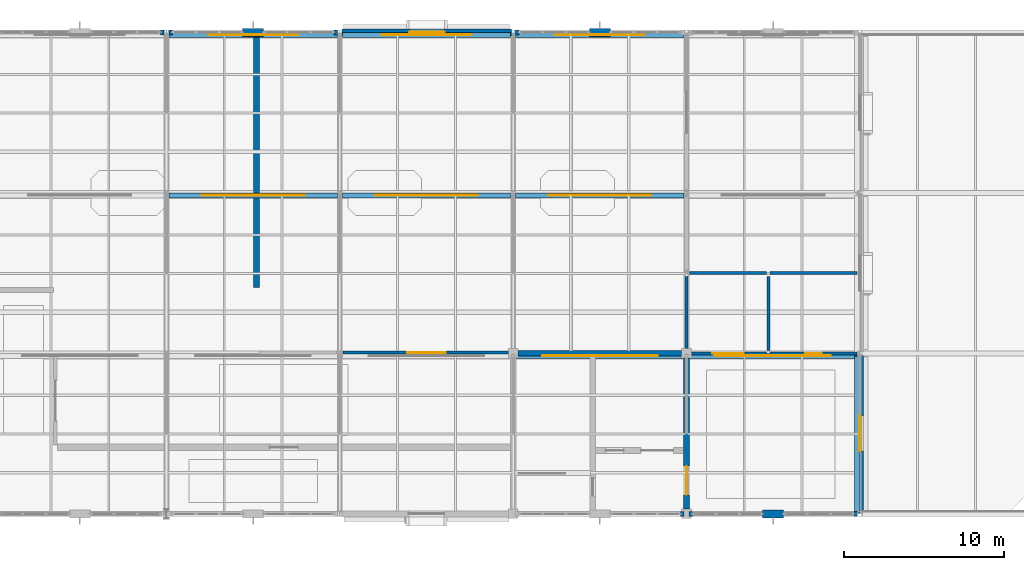
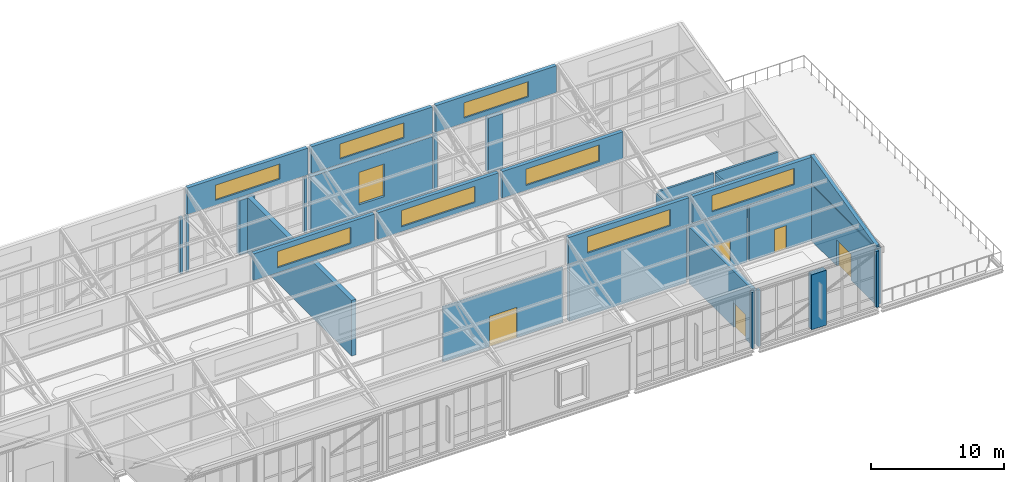
# One storey, part 41 of 49: 31 walls, 9 windows, 5 doors, 14 openings.
"""IFC4 building model written with IfcOpenShell, lengths in metres."""

from ifc_helpers import new_model, si_unit, direction, frame, frame_2d, origin, place, context, subcontext, project, spatial, polyline, rectangle, outline, extrude, material, layer, layer_set, type_object, element, fill, save


model = new_model("IFC4")

# Units and contexts
model_context = context("Model", 3, precision=1e-05, world=origin(), true_north=direction((0.0, 1.0)))
body_context = subcontext(model_context, "Body", "Model", "MODEL_VIEW")
ifc_project = project(units=[si_unit("LENGTHUNIT", "METRE"), si_unit("AREAUNIT", "SQUARE_METRE"), si_unit("VOLUMEUNIT", "CUBIC_METRE"), si_unit("PLANEANGLEUNIT", "RADIAN"), si_unit("MASSUNIT", "GRAM", prefix="KILO")], contexts=[model_context])

# Site, building, storey
site_placement = place(None, origin())
site = spatial("IfcSite", under=ifc_project, at=site_placement, CompositionType="ELEMENT")
building_placement = place(site_placement, origin())
building = spatial("IfcBuilding", under=site, at=building_placement, Name="Tasgan Crest Museum", CompositionType="ELEMENT")
storey_placement = place(building_placement, frame((0.0, 0.0, 28.800048828125)))
storey = spatial("IfcBuildingStorey", under=building, at=storey_placement, Name="L05", CompositionType="ELEMENT", Elevation=28.800048828125)

# Wall
ifc_material_1 = material(Name="Concrete C40/50", Category="concrete")
ifc_layer_1 = layer(ifc_material_1, 0.35009765625, Name="WL-CORE-350")
ifc_layer_set_1 = layer_set([ifc_layer_1], Name="Concrete C40/50")
wall_type_1 = type_object("IfcWallType", Name="WL-CORE-350", PredefinedType="SHEAR", material=ifc_layer_set_1)
wall_1_placement = place(storey_placement, frame((54.300048828125, 92.0, 0.0), z_axis=(0.0, 0.0, 1.0), x_axis=(1.0, 0.0, 0.0)))
element("IfcWall", 1, at=wall_1_placement, inside=storey, type_object=wall_type_1, Name="North-Central Sawtooth Core north shear wall L05", PredefinedType="SHEAR", context=body_context, shape_type="SweptSolid", body=[
    extrude(rectangle(XDim=10.199951171875, YDim=0.35009765625, at=frame_2d((5.10009765625, 0.0))), origin(), (0.0, 0.0, 1.0), 5.159912109375),
])

# Wall, opening, door
wall_2_placement = place(storey_placement, frame((64.800048828125, 82.300048828125, 0.0), z_axis=(0.0, 0.0, 1.0), x_axis=(0.0, 1.0, 0.0)))
wall_2 = element("IfcWall", 2, at=wall_2_placement, inside=storey, type_object=wall_type_1, Name="North-Central Sawtooth Core east shear wall L05", PredefinedType="SHEAR", context=body_context, shape_type="SweptSolid", body=[
    extrude(rectangle(XDim=9.39990234375, YDim=0.35009765625, at=frame_2d((4.699951171875, 0.0))), origin(), (0.0, 0.0, 1.0), 5.159912109375),
])
opening_1_placement = place(wall_2_placement, frame((0.8798828125, 0.0, 0.0)))
opening_1 = element("IfcOpeningElement", 3, at=opening_1_placement, cuts=wall_2, Name="Opening LD-NC-L05", PredefinedType="OPENING", context=body_context, shape_type="SweptSolid", body=[
    extrude(rectangle(XDim=1.800048828125, YDim=2.25, at=frame_2d((0.89990234375, 1.125))), frame((0.0, 0.18505859375, 0.0), z_axis=(0.0, -1.0, 0.0), x_axis=(1.0, 0.0, 0.0)), (0.0, 0.0, 1.0), 0.3701171875),
])
ifc_material_2 = material(Name="Fire-Rated Double Lobby Door")
door_type_1 = type_object("IfcDoorType", Name="DR-FD2-1800", OperationType="NOTDEFINED", PredefinedType="DOOR", material=ifc_material_2)
door_1_placement = place(opening_1_placement, origin())
door_1 = element("IfcDoor", 4, at=door_1_placement, inside=storey, type_object=door_type_1, Name="North-Central Sawtooth Core lobby door L05", OperationType="DOUBLE_DOOR_SINGLE_SWING", OverallHeight=2.25, OverallWidth=1.800048828125, PredefinedType="DOOR", context=body_context, shape_type="SweptSolid", body=[
    extrude(rectangle(XDim=1.800048828125, YDim=2.25, at=frame_2d((0.89990234375, 1.125))), frame((0.0, 0.02490234375, 0.0), z_axis=(0.0, -1.0, 0.0), x_axis=(1.0, 0.0, 0.0)), (0.0, 0.0, 1.0), 0.050048828125),
])
fill(opening_1, door_1)

# Walls
ifc_material_3 = material(Name="Precast concrete C40/50", Category="concrete")
ifc_layer_2 = layer(ifc_material_3, 0.320068359375, Name="WL-EXT-CLER-320")
ifc_layer_set_2 = layer_set([ifc_layer_2], Name="Precast concrete C40/50")
wall_type_2 = type_object("IfcWallType", Name="WL-EXT-CLER-320", PredefinedType="STANDARD", material=ifc_layer_set_2)
wall_3_placement = place(storey_placement, frame((54.3701171875, 112.0, 0.0), z_axis=(0.0, 0.0, 1.0), x_axis=(-1.0, 0.0, 0.0)))
element("IfcWall", 5, at=wall_3_placement, inside=storey, type_object=wall_type_2, Name="Curtain wall jamb closure L05 JR", PredefinedType="STANDARD", context=body_context, shape_type="SweptSolid", body=[
    extrude(rectangle(XDim=0.274169921875, YDim=0.300048828125, at=frame_2d((0.13720703125, 0.0))), origin(), (0.0, 0.0, 1.0), 5.159912109375),
])
wall_4_placement = place(storey_placement, frame((43.054931640625, 112.0, 0.0), z_axis=(0.0, 0.0, 1.0), x_axis=(-1.0, 0.0, 0.0)))
element("IfcWall", 6, at=wall_4_placement, inside=storey, type_object=wall_type_2, Name="Curtain wall jamb closure L05 JL", PredefinedType="STANDARD", context=body_context, shape_type="SweptSolid", body=[
    extrude(rectangle(XDim=0.224853515625, YDim=0.300048828125, at=frame_2d((0.1123046875, 0.0))), origin(), (0.0, 0.0, 1.0), 5.159912109375),
])
wall_5_placement = place(storey_placement, frame((32.77001953125, 112.0, 0.0), z_axis=(0.0, 0.0, 1.0), x_axis=(-1.0, 0.0, 0.0)))
element("IfcWall", 7, at=wall_5_placement, inside=storey, type_object=wall_type_2, Name="Curtain wall jamb closure L05 JR", PredefinedType="STANDARD", context=body_context, shape_type="SweptSolid", body=[
    extrude(rectangle(XDim=0.22509765625, YDim=0.300048828125, at=frame_2d((0.112548828125, 0.0))), origin(), (0.0, 0.0, 1.0), 5.159912109375),
])
wall_6_placement = place(storey_placement, frame((32.2548828125, 112.0, 0.0), z_axis=(0.0, 0.0, 1.0), x_axis=(-1.0, 0.0, 0.0)))
element("IfcWall", 8, at=wall_6_placement, inside=storey, type_object=wall_type_2, Name="Curtain wall jamb closure L05 JL", PredefinedType="STANDARD", context=body_context, shape_type="SweptSolid", body=[
    extrude(rectangle(XDim=0.224853515625, YDim=0.300048828125, at=frame_2d((0.1123046875, 0.0))), origin(), (0.0, 0.0, 1.0), 5.159912109375),
])
wall_7_placement = place(storey_placement, frame((64.429931640625, 82.0, 0.0), z_axis=(0.0, 0.0, 1.0), x_axis=(1.0, 0.0, 0.0)))
element("IfcWall", 9, at=wall_7_placement, inside=storey, type_object=wall_type_2, Name="Curtain wall jamb closure L05 JR", PredefinedType="STANDARD", context=body_context, shape_type="SweptSolid", body=[
    extrude(rectangle(XDim=0.22509765625, YDim=0.300048828125, at=frame_2d((0.112548828125, 0.0))), origin(), (0.0, 0.0, 1.0), 5.159912109375),
])
wall_8_placement = place(storey_placement, frame((64.945068359375, 82.0, 0.0), z_axis=(0.0, 0.0, 1.0), x_axis=(1.0, 0.0, 0.0)))
element("IfcWall", 10, at=wall_8_placement, inside=storey, type_object=wall_type_2, Name="Curtain wall jamb closure L05 JL", PredefinedType="STANDARD", context=body_context, shape_type="SweptSolid", body=[
    extrude(rectangle(XDim=0.224853515625, YDim=0.300048828125, at=frame_2d((0.1123046875, 0.0))), origin(), (0.0, 0.0, 1.0), 5.159912109375),
])
wall_9_placement = place(storey_placement, frame((75.22998046875, 82.0, 0.0), z_axis=(0.0, 0.0, 1.0), x_axis=(1.0, 0.0, 0.0)))
element("IfcWall", 11, at=wall_9_placement, inside=storey, type_object=wall_type_2, Name="Curtain wall jamb closure L05 JR", PredefinedType="STANDARD", context=body_context, shape_type="SweptSolid", body=[
    extrude(rectangle(XDim=0.22509765625, YDim=0.300048828125, at=frame_2d((0.112548828125, 0.0))), origin(), (0.0, 0.0, 1.0), 5.159912109375),
])

# Wall, opening, window
wall_10_placement = place(storey_placement, frame((54.159912109375, 91.85009765625, 5.39990234375), z_axis=(0.0, 0.0, 1.0), x_axis=(1.0, 0.0, 0.0)))
wall_10 = element("IfcWall", 12, at=wall_10_placement, inside=storey, type_object=wall_type_2, Name="Sawtooth north clerestory wall B1 54.0-64.8", PredefinedType="STANDARD", context=body_context, shape_type="SweptSolid", body=[
    extrude(rectangle(XDim=10.47998046875, YDim=0.320068359375, at=frame_2d((5.239990234375, 0.0))), origin(), (0.0, 0.0, 1.0), 2.449951171875),
])
opening_2_placement = place(wall_10_placement, frame((1.639892578125, 0.0, 0.449951171875)))
opening_2 = element("IfcOpeningElement", 13, at=opening_2_placement, cuts=wall_10, Name="Opening RL01", PredefinedType="OPENING", context=body_context, shape_type="SweptSolid", body=[
    extrude(rectangle(XDim=7.199951171875, YDim=1.5, at=frame_2d((3.60009765625, 0.75))), frame((0.0, 0.169921875, 0.0), z_axis=(0.0, -1.0, 0.0), x_axis=(1.0, 0.0, 0.0)), (0.0, 0.0, 1.0), 0.340087890625),
])
ifc_material_4 = material(Name="Thermally Broken Triple-Glazed Aluminium", Category="aluminium")
window_type_1 = type_object("IfcWindowType", Name="RF-SAW-7200X1500", PartitioningType="SINGLE_PANEL", PredefinedType="SKYLIGHT", material=ifc_material_4)
window_1_placement = place(opening_2_placement, origin())
window_1 = element("IfcWindow", 14, at=window_1_placement, inside=storey, type_object=window_type_1, Name="Rooflight RL-06", OverallHeight=1.5, OverallWidth=7.199951171875, PartitioningType="SINGLE_PANEL", PredefinedType="SKYLIGHT", context=body_context, shape_type="SweptSolid", body=[
    extrude(rectangle(XDim=7.199951171875, YDim=1.5, at=frame_2d((3.60009765625, 0.75))), frame((0.0, 0.030029296875, 0.0), z_axis=(0.0, -1.0, 0.0), x_axis=(1.0, 0.0, 0.0)), (0.0, 0.0, 1.0), 0.06005859375),
])
fill(opening_2, window_1)

wall_11_placement = place(storey_placement, frame((64.9599609375, 91.85009765625, 5.39990234375), z_axis=(0.0, 0.0, 1.0), x_axis=(1.0, 0.0, 0.0)))
wall_11 = element("IfcWall", 15, at=wall_11_placement, inside=storey, type_object=wall_type_2, Name="Sawtooth north clerestory wall B1 64.8-75.6", PredefinedType="STANDARD", context=body_context, shape_type="SweptSolid", body=[
    extrude(rectangle(XDim=10.47998046875, YDim=0.320068359375, at=frame_2d((5.239990234375, 0.0))), origin(), (0.0, 0.0, 1.0), 2.449951171875),
])
opening_3_placement = place(wall_11_placement, frame((1.639892578125, 0.0, 0.449951171875)))
opening_3 = element("IfcOpeningElement", 16, at=opening_3_placement, cuts=wall_11, Name="Opening RL01", PredefinedType="OPENING", context=body_context, shape_type="SweptSolid", body=[
    extrude(rectangle(XDim=7.199951171875, YDim=1.5, at=frame_2d((3.60009765625, 0.75))), frame((0.0, 0.169921875, 0.0), z_axis=(0.0, -1.0, 0.0), x_axis=(1.0, 0.0, 0.0)), (0.0, 0.0, 1.0), 0.340087890625),
])
window_2_placement = place(opening_3_placement, origin())
window_2 = element("IfcWindow", 17, at=window_2_placement, inside=storey, type_object=window_type_1, Name="Rooflight RL-07", OverallHeight=1.5, OverallWidth=7.199951171875, PartitioningType="SINGLE_PANEL", PredefinedType="SKYLIGHT", context=body_context, shape_type="SweptSolid", body=[
    extrude(rectangle(XDim=7.199951171875, YDim=1.5, at=frame_2d((3.60009765625, 0.75))), frame((0.0, 0.030029296875, 0.0), z_axis=(0.0, -1.0, 0.0), x_axis=(1.0, 0.0, 0.0)), (0.0, 0.0, 1.0), 0.06005859375),
])
fill(opening_3, window_2)

# Wall
wall_12_placement = place(storey_placement, frame((75.43994140625, 82.050048828125, 5.39990234375), z_axis=(0.0, 0.0, 1.0), x_axis=(0.0, 1.0, 0.0)))
element("IfcWall", 18, at=wall_12_placement, inside=storey, type_object=wall_type_2, Name="Sawtooth gable wall B1 E", PredefinedType="STANDARD", context=body_context, shape_type="SweptSolid", body=[
    extrude(outline(polyline([(0.0, 0.0), (9.800048828125, 0.0), (9.800048828125, 2.550048828125), (0.0, 0.150146484375), (0.0, 0.0)])), frame((0.0, 0.16015625, 0.0), z_axis=(0.0, -1.0, 0.0), x_axis=(1.0, 0.0, 0.0)), (0.0, 0.0, 1.0), 0.320068359375),
])

# Wall, opening, window
wall_13_placement = place(storey_placement, frame((32.56005859375, 101.85009765625, 5.39990234375), z_axis=(0.0, 0.0, 1.0), x_axis=(1.0, 0.0, 0.0)))
wall_13 = element("IfcWall", 19, at=wall_13_placement, inside=storey, type_object=wall_type_2, Name="Sawtooth north clerestory wall B2 32.4-43.2", PredefinedType="STANDARD", context=body_context, shape_type="SweptSolid", body=[
    extrude(rectangle(XDim=10.47998046875, YDim=0.320068359375, at=frame_2d((5.239990234375, 0.0))), origin(), (0.0, 0.0, 1.0), 2.449951171875),
])
opening_4_placement = place(wall_13_placement, frame((2.0400390625, 0.0, 0.449951171875)))
opening_4 = element("IfcOpeningElement", 20, at=opening_4_placement, cuts=wall_13, Name="Opening RL02", PredefinedType="OPENING", context=body_context, shape_type="SweptSolid", body=[
    extrude(rectangle(XDim=6.39990234375, YDim=1.5, at=frame_2d((3.199951171875, 0.75))), frame((0.0, 0.169921875, 0.0), z_axis=(0.0, -1.0, 0.0), x_axis=(1.0, 0.0, 0.0)), (0.0, 0.0, 1.0), 0.340087890625),
])
ifc_material_5 = material(Name="Thermally Broken Triple-Glazed Aluminium", Category="aluminium")
window_type_2 = type_object("IfcWindowType", Name="RF-SAW-6400X1500", PartitioningType="SINGLE_PANEL", PredefinedType="SKYLIGHT", material=ifc_material_5)
window_3_placement = place(opening_4_placement, origin())
window_3 = element("IfcWindow", 21, at=window_3_placement, inside=storey, type_object=window_type_2, Name="Rooflight RL-11", OverallHeight=1.5, OverallWidth=6.39990234375, PartitioningType="SINGLE_PANEL", PredefinedType="SKYLIGHT", context=body_context, shape_type="SweptSolid", body=[
    extrude(rectangle(XDim=6.39990234375, YDim=1.5, at=frame_2d((3.199951171875, 0.75))), frame((0.0, 0.030029296875, 0.0), z_axis=(0.0, -1.0, 0.0), x_axis=(1.0, 0.0, 0.0)), (0.0, 0.0, 1.0), 0.06005859375),
])
fill(opening_4, window_3)

wall_14_placement = place(storey_placement, frame((43.360107421875, 101.85009765625, 5.39990234375), z_axis=(0.0, 0.0, 1.0), x_axis=(1.0, 0.0, 0.0)))
wall_14 = element("IfcWall", 22, at=wall_14_placement, inside=storey, type_object=wall_type_2, Name="Sawtooth north clerestory wall B2 43.2-54.0", PredefinedType="STANDARD", context=body_context, shape_type="SweptSolid", body=[
    extrude(rectangle(XDim=10.47998046875, YDim=0.320068359375, at=frame_2d((5.239990234375, 0.0))), origin(), (0.0, 0.0, 1.0), 2.449951171875),
])
opening_5_placement = place(wall_14_placement, frame((2.0400390625, 0.0, 0.449951171875)))
opening_5 = element("IfcOpeningElement", 23, at=opening_5_placement, cuts=wall_14, Name="Opening RL02", PredefinedType="OPENING", context=body_context, shape_type="SweptSolid", body=[
    extrude(rectangle(XDim=6.39990234375, YDim=1.5, at=frame_2d((3.199951171875, 0.75))), frame((0.0, 0.169921875, 0.0), z_axis=(0.0, -1.0, 0.0), x_axis=(1.0, 0.0, 0.0)), (0.0, 0.0, 1.0), 0.340087890625),
])
window_4_placement = place(opening_5_placement, origin())
window_4 = element("IfcWindow", 24, at=window_4_placement, inside=storey, type_object=window_type_2, Name="Rooflight RL-12", OverallHeight=1.5, OverallWidth=6.39990234375, PartitioningType="SINGLE_PANEL", PredefinedType="SKYLIGHT", context=body_context, shape_type="SweptSolid", body=[
    extrude(rectangle(XDim=6.39990234375, YDim=1.5, at=frame_2d((3.199951171875, 0.75))), frame((0.0, 0.030029296875, 0.0), z_axis=(0.0, -1.0, 0.0), x_axis=(1.0, 0.0, 0.0)), (0.0, 0.0, 1.0), 0.06005859375),
])
fill(opening_5, window_4)

wall_15_placement = place(storey_placement, frame((54.159912109375, 101.85009765625, 5.39990234375), z_axis=(0.0, 0.0, 1.0), x_axis=(1.0, 0.0, 0.0)))
wall_15 = element("IfcWall", 25, at=wall_15_placement, inside=storey, type_object=wall_type_2, Name="Sawtooth north clerestory wall B2 54.0-64.8", PredefinedType="STANDARD", context=body_context, shape_type="SweptSolid", body=[
    extrude(rectangle(XDim=10.47998046875, YDim=0.320068359375, at=frame_2d((5.239990234375, 0.0))), origin(), (0.0, 0.0, 1.0), 2.449951171875),
])
opening_6_placement = place(wall_15_placement, frame((2.0400390625, 0.0, 0.449951171875)))
opening_6 = element("IfcOpeningElement", 26, at=opening_6_placement, cuts=wall_15, Name="Opening RL02", PredefinedType="OPENING", context=body_context, shape_type="SweptSolid", body=[
    extrude(rectangle(XDim=6.39990234375, YDim=1.5, at=frame_2d((3.199951171875, 0.75))), frame((0.0, 0.169921875, 0.0), z_axis=(0.0, -1.0, 0.0), x_axis=(1.0, 0.0, 0.0)), (0.0, 0.0, 1.0), 0.340087890625),
])
window_5_placement = place(opening_6_placement, origin())
window_5 = element("IfcWindow", 27, at=window_5_placement, inside=storey, type_object=window_type_2, Name="Rooflight RL-13", OverallHeight=1.5, OverallWidth=6.39990234375, PartitioningType="SINGLE_PANEL", PredefinedType="SKYLIGHT", context=body_context, shape_type="SweptSolid", body=[
    extrude(rectangle(XDim=6.39990234375, YDim=1.5, at=frame_2d((3.199951171875, 0.75))), frame((0.0, 0.030029296875, 0.0), z_axis=(0.0, -1.0, 0.0), x_axis=(1.0, 0.0, 0.0)), (0.0, 0.0, 1.0), 0.06005859375),
])
fill(opening_6, window_5)

wall_16_placement = place(storey_placement, frame((32.56005859375, 111.85009765625, 5.39990234375), z_axis=(0.0, 0.0, 1.0), x_axis=(1.0, 0.0, 0.0)))
wall_16 = element("IfcWall", 28, at=wall_16_placement, inside=storey, type_object=wall_type_2, Name="Sawtooth north clerestory wall B3 32.4-43.2", PredefinedType="STANDARD", context=body_context, shape_type="SweptSolid", body=[
    extrude(rectangle(XDim=10.47998046875, YDim=0.320068359375, at=frame_2d((5.239990234375, 0.0))), origin(), (0.0, 0.0, 1.0), 2.449951171875),
])
opening_7_placement = place(wall_16_placement, frame((2.43994140625, 0.0, 0.449951171875)))
opening_7 = element("IfcOpeningElement", 29, at=opening_7_placement, cuts=wall_16, Name="Opening RL03", PredefinedType="OPENING", context=body_context, shape_type="SweptSolid", body=[
    extrude(rectangle(XDim=5.60009765625, YDim=1.39990234375, at=frame_2d((2.800048828125, 0.699951171875))), frame((0.0, 0.169921875, 0.0), z_axis=(0.0, -1.0, 0.0), x_axis=(1.0, 0.0, 0.0)), (0.0, 0.0, 1.0), 0.340087890625),
])
ifc_material_6 = material(Name="Thermally Broken Triple-Glazed Aluminium", Category="aluminium")
window_type_3 = type_object("IfcWindowType", Name="RF-SAW-5600X1400", PartitioningType="SINGLE_PANEL", PredefinedType="SKYLIGHT", material=ifc_material_6)
window_6_placement = place(opening_7_placement, origin())
window_6 = element("IfcWindow", 30, at=window_6_placement, inside=storey, type_object=window_type_3, Name="Rooflight RL-18", OverallHeight=1.39990234375, OverallWidth=5.60009765625, PartitioningType="SINGLE_PANEL", PredefinedType="SKYLIGHT", context=body_context, shape_type="SweptSolid", body=[
    extrude(rectangle(XDim=5.60009765625, YDim=1.39990234375, at=frame_2d((2.800048828125, 0.699951171875))), frame((0.0, 0.030029296875, 0.0), z_axis=(0.0, -1.0, 0.0), x_axis=(1.0, 0.0, 0.0)), (0.0, 0.0, 1.0), 0.06005859375),
])
fill(opening_7, window_6)

wall_17_placement = place(storey_placement, frame((43.360107421875, 111.85009765625, 5.39990234375), z_axis=(0.0, 0.0, 1.0), x_axis=(1.0, 0.0, 0.0)))
wall_17 = element("IfcWall", 31, at=wall_17_placement, inside=storey, type_object=wall_type_2, Name="Sawtooth north clerestory wall B3 43.2-54.0", PredefinedType="STANDARD", context=body_context, shape_type="SweptSolid", body=[
    extrude(rectangle(XDim=10.47998046875, YDim=0.320068359375, at=frame_2d((5.239990234375, 0.0))), origin(), (0.0, 0.0, 1.0), 2.449951171875),
])
opening_8_placement = place(wall_17_placement, frame((2.43994140625, 0.0, 0.449951171875)))
opening_8 = element("IfcOpeningElement", 32, at=opening_8_placement, cuts=wall_17, Name="Opening RL03", PredefinedType="OPENING", context=body_context, shape_type="SweptSolid", body=[
    extrude(rectangle(XDim=5.60009765625, YDim=1.39990234375, at=frame_2d((2.800048828125, 0.699951171875))), frame((0.0, 0.169921875, 0.0), z_axis=(0.0, -1.0, 0.0), x_axis=(1.0, 0.0, 0.0)), (0.0, 0.0, 1.0), 0.340087890625),
])
window_7_placement = place(opening_8_placement, origin())
window_7 = element("IfcWindow", 33, at=window_7_placement, inside=storey, type_object=window_type_3, Name="Rooflight RL-19", OverallHeight=1.39990234375, OverallWidth=5.60009765625, PartitioningType="SINGLE_PANEL", PredefinedType="SKYLIGHT", context=body_context, shape_type="SweptSolid", body=[
    extrude(rectangle(XDim=5.60009765625, YDim=1.39990234375, at=frame_2d((2.800048828125, 0.699951171875))), frame((0.0, 0.030029296875, 0.0), z_axis=(0.0, -1.0, 0.0), x_axis=(1.0, 0.0, 0.0)), (0.0, 0.0, 1.0), 0.06005859375),
])
fill(opening_8, window_7)

wall_18_placement = place(storey_placement, frame((54.159912109375, 111.85009765625, 5.39990234375), z_axis=(0.0, 0.0, 1.0), x_axis=(1.0, 0.0, 0.0)))
wall_18 = element("IfcWall", 34, at=wall_18_placement, inside=storey, type_object=wall_type_2, Name="Sawtooth north clerestory wall B3 54.0-64.8", PredefinedType="STANDARD", context=body_context, shape_type="SweptSolid", body=[
    extrude(rectangle(XDim=10.47998046875, YDim=0.320068359375, at=frame_2d((5.239990234375, 0.0))), origin(), (0.0, 0.0, 1.0), 2.449951171875),
])
opening_9_placement = place(wall_18_placement, frame((2.43994140625, 0.0, 0.449951171875)))
opening_9 = element("IfcOpeningElement", 35, at=opening_9_placement, cuts=wall_18, Name="Opening RL03", PredefinedType="OPENING", context=body_context, shape_type="SweptSolid", body=[
    extrude(rectangle(XDim=5.60009765625, YDim=1.39990234375, at=frame_2d((2.800048828125, 0.699951171875))), frame((0.0, 0.169921875, 0.0), z_axis=(0.0, -1.0, 0.0), x_axis=(1.0, 0.0, 0.0)), (0.0, 0.0, 1.0), 0.340087890625),
])
window_8_placement = place(opening_9_placement, origin())
window_8 = element("IfcWindow", 36, at=window_8_placement, inside=storey, type_object=window_type_3, Name="Rooflight RL-20", OverallHeight=1.39990234375, OverallWidth=5.60009765625, PartitioningType="SINGLE_PANEL", PredefinedType="SKYLIGHT", context=body_context, shape_type="SweptSolid", body=[
    extrude(rectangle(XDim=5.60009765625, YDim=1.39990234375, at=frame_2d((2.800048828125, 0.699951171875))), frame((0.0, 0.030029296875, 0.0), z_axis=(0.0, -1.0, 0.0), x_axis=(1.0, 0.0, 0.0)), (0.0, 0.0, 1.0), 0.06005859375),
])
fill(opening_9, window_8)

# Walls
ifc_material_7 = material(Name="Precast concrete C40/50", Category="concrete")
ifc_layer_3 = layer(ifc_material_7, 0.47998046875, Name="WL-EXT-GRAN-480")
ifc_layer_set_3 = layer_set([ifc_layer_3], Name="Precast concrete C40/50")
wall_type_3 = type_object("IfcWallType", Name="WL-EXT-GRAN-480", PredefinedType="STANDARD", material=ifc_layer_set_3)
for number, where, z_axis, x_axis, name in (
    (37, (60.050048828125, 112.0, 0.0), (0.0, 0.0, 1.0), (-1.0, 0.0, 0.0), "Postmodern facade stone pier L05"),
    (38, (38.449951171875, 112.0, 0.0), (0.0, 0.0, 1.0), (-1.0, 0.0, 0.0), "Postmodern facade stone pier L05"),
    (39, (69.550048828125, 82.0, 0.0), (0.0, 0.0, 1.0), (1.0, 0.0, 0.0), "Postmodern facade stone pier L05"),
):
    element("IfcWall", number, at=place(storey_placement, frame(where, z_axis=z_axis, x_axis=x_axis)), inside=storey, type_object=wall_type_3, Name=name, PredefinedType="STANDARD", context=body_context, shape_type="SweptSolid", body=[
        extrude(rectangle(XDim=1.300048828125, YDim=0.47998046875, at=frame_2d((0.64990234375, 0.0))), origin(), (0.0, 0.0, 1.0), 5.0439453125),
    ])

# Wall, opening, door
ifc_material_8 = material(Name="Precast concrete C40/50", Category="concrete")
ifc_layer_4 = layer(ifc_material_8, 0.449951171875, Name="WL-EXT-LIME-450")
ifc_layer_set_4 = layer_set([ifc_layer_4], Name="Precast concrete C40/50")
wall_type_4 = type_object("IfcWallType", Name="WL-EXT-LIME-450", PredefinedType="STANDARD", material=ifc_layer_set_4)
wall_19_placement = place(storey_placement, frame((75.60009765625, 82.14501953125, 0.0), z_axis=(0.0, 0.0, 1.0), x_axis=(0.0, 1.0, 0.0)))
wall_19 = element("IfcWall", 40, at=wall_19_placement, inside=storey, type_object=wall_type_4, Name="Exterior wall L05 (75.6,87.0)", PredefinedType="STANDARD", context=body_context, shape_type="SweptSolid", body=[
    extrude(rectangle(XDim=9.723876953125, YDim=0.449951171875, at=frame_2d((4.86181640625, 0.0))), origin(), (0.0, 0.0, 1.0), 5.159912109375),
])
opening_10_placement = place(wall_19_placement, frame((3.761962890625, 0.0, 0.0)))
opening_10 = element("IfcOpeningElement", 41, at=opening_10_placement, cuts=wall_19, Name="Opening ED020", PredefinedType="OPENING", context=body_context, shape_type="SweptSolid", body=[
    extrude(rectangle(XDim=2.199951171875, YDim=2.39990234375, at=frame_2d((1.10009765625, 1.199951171875))), frame((0.0, 0.23486328125, 0.0), z_axis=(0.0, -1.0, 0.0), x_axis=(1.0, 0.0, 0.0)), (0.0, 0.0, 1.0), 0.469970703125),
])
ifc_material_9 = material(Name="Thermally Broken Insulated Steel and Bronze", Category="steel")
door_type_2 = type_object("IfcDoorType", Name="DR-TERR-DBL-2200", OperationType="NOTDEFINED", PredefinedType="DOOR", material=ifc_material_9)
door_2_placement = place(opening_10_placement, frame((2.199951171875, 0.0, 0.0), z_axis=(0.0, 0.0, 1.0), x_axis=(-1.0, 0.0, 0.0)))
door_2 = element("IfcDoor", 42, at=door_2_placement, inside=storey, type_object=door_type_2, Name="Crest viewing terrace access door ED020", OperationType="DOUBLE_DOOR_SINGLE_SWING", OverallHeight=2.39990234375, OverallWidth=2.199951171875, PredefinedType="DOOR", context=body_context, shape_type="SweptSolid", body=[
    extrude(rectangle(XDim=2.199951171875, YDim=2.39990234375, at=frame_2d((1.10009765625, 1.199951171875))), frame((0.0, 0.02490234375, 0.0), z_axis=(0.0, -1.0, 0.0), x_axis=(1.0, 0.0, 0.0)), (0.0, 0.0, 1.0), 0.050048828125),
])
fill(opening_10, door_2)

# Wall, opening, window
wall_20_placement = place(storey_placement, frame((53.904052734375, 112.0, 0.0), z_axis=(0.0, 0.0, 1.0), x_axis=(-1.0, 0.0, 0.0)))
wall_20 = element("IfcWall", 43, at=wall_20_placement, inside=storey, type_object=wall_type_4, Name="Exterior wall L05 (48.6,112.0)", PredefinedType="STANDARD", context=body_context, shape_type="SweptSolid", body=[
    extrude(rectangle(XDim=10.55908203125, YDim=0.449951171875, at=frame_2d((5.279541015625, 0.0))), origin(), (0.0, 0.0, 1.0), 5.0439453125),
])
opening_11_placement = place(wall_20_placement, frame((4.179443359375, 0.0, 1.0)))
opening_11 = element("IfcOpeningElement", 44, at=opening_11_placement, cuts=wall_20, Name="Opening W10", PredefinedType="OPENING", context=body_context, shape_type="SweptSolid", body=[
    extrude(rectangle(XDim=2.199951171875, YDim=3.0, at=frame_2d((1.10009765625, 1.5))), frame((0.0, 0.23486328125, 0.0), z_axis=(0.0, -1.0, 0.0), x_axis=(1.0, 0.0, 0.0)), (0.0, 0.0, 1.0), 0.469970703125),
])
ifc_material_10 = material(Name="Thermally Broken Triple-Glazed Aluminium", Category="aluminium")
window_type_4 = type_object("IfcWindowType", Name="WN-GAL-SAW-2200X3000", PartitioningType="SINGLE_PANEL", PredefinedType="WINDOW", material=ifc_material_10)
window_9_placement = place(opening_11_placement, origin())
window_9 = element("IfcWindow", 45, at=window_9_placement, inside=storey, type_object=window_type_4, Name="Window W10 L05-070", OverallHeight=3.0, OverallWidth=2.199951171875, PartitioningType="SINGLE_PANEL", PredefinedType="WINDOW", context=body_context, shape_type="SweptSolid", body=[
    extrude(rectangle(XDim=2.199951171875, YDim=3.0, at=frame_2d((1.10009765625, 1.5))), frame((0.0, 0.030029296875, 0.0), z_axis=(0.0, -1.0, 0.0), x_axis=(1.0, 0.0, 0.0)), (0.0, 0.0, 1.0), 0.06005859375),
])
fill(opening_11, window_9)

# Wall, opening, door
ifc_material_11 = material(Name="Sanitary Plumbing Chase Wall")
ifc_layer_5 = layer(ifc_material_11, 0.179931640625, Name="WL-PLUMB-180")
ifc_layer_set_5 = layer_set([ifc_layer_5], Name="Sanitary Plumbing Chase Wall")
wall_type_5 = type_object("IfcWallType", Name="WL-PLUMB-180", PredefinedType="PLUMBINGWALL", material=ifc_layer_set_5)
wall_21_placement = place(storey_placement, frame((64.97998046875, 92.0, 0.0), z_axis=(0.0, 0.0, 1.0), x_axis=(1.0, 0.0, 0.0)))
wall_21 = element("IfcWall", 46, at=wall_21_placement, inside=storey, type_object=wall_type_5, Name="Partition Crest Terrace Exhibition Vestibule / Fifth Floor Public WC L05", PredefinedType="PLUMBINGWALL", context=body_context, shape_type="SweptSolid", body=[
    extrude(rectangle(XDim=4.820068359375, YDim=0.179931640625, at=frame_2d((2.41015625, 0.0))), origin(), (0.0, 0.0, 1.0), 5.0439453125),
])
opening_12_placement = place(wall_21_placement, frame((1.43505859375, 0.0, 0.0)))
opening_12 = element("IfcOpeningElement", 47, at=opening_12_placement, cuts=wall_21, Name="Opening D098", PredefinedType="OPENING", context=body_context, shape_type="SweptSolid", body=[
    extrude(rectangle(XDim=1.949951171875, YDim=2.5, at=frame_2d((0.97509765625, 1.25))), frame((0.0, 0.099853515625, 0.0), z_axis=(0.0, -1.0, 0.0), x_axis=(1.0, 0.0, 0.0)), (0.0, 0.0, 1.0), 0.199951171875),
])
ifc_material_12 = material(Name="Oak and Brushed Bronze Acoustic Door")
door_type_3 = type_object("IfcDoorType", Name="DR-SCH-14", OperationType="NOTDEFINED", PredefinedType="DOOR", material=ifc_material_12)
door_3_placement = place(opening_12_placement, origin())
door_3 = element("IfcDoor", 48, at=door_3_placement, inside=storey, type_object=door_type_3, Name="Fifth Floor Public WC door D098", OperationType="DOUBLE_DOOR_SINGLE_SWING", OverallHeight=2.5, OverallWidth=1.949951171875, PredefinedType="DOOR", context=body_context, shape_type="SweptSolid", body=[
    extrude(rectangle(XDim=1.949951171875, YDim=2.5, at=frame_2d((0.97509765625, 1.25))), frame((0.0, 0.02490234375, 0.0), z_axis=(0.0, -1.0, 0.0), x_axis=(1.0, 0.0, 0.0)), (0.0, 0.0, 1.0), 0.050048828125),
])
fill(opening_12, door_3)

wall_22_placement = place(storey_placement, frame((70.0, 92.0, 0.0), z_axis=(0.0, 0.0, 1.0), x_axis=(1.0, 0.0, 0.0)))
wall_22 = element("IfcWall", 49, at=wall_22_placement, inside=storey, type_object=wall_type_5, Name="Partition Crest Terrace Exhibition Vestibule / Fifth Floor Accessible WC L05", PredefinedType="PLUMBINGWALL", context=body_context, shape_type="SweptSolid", body=[
    extrude(rectangle(XDim=5.419921875, YDim=0.179931640625, at=frame_2d((2.7099609375, 0.0))), origin(), (0.0, 0.0, 1.0), 5.0439453125),
])
opening_13_placement = place(wall_22_placement, frame((2.18505859375, 0.0, 0.0)))
opening_13 = element("IfcOpeningElement", 50, at=opening_13_placement, cuts=wall_22, Name="Opening D099", PredefinedType="OPENING", context=body_context, shape_type="SweptSolid", body=[
    extrude(rectangle(XDim=1.050048828125, YDim=2.14990234375, at=frame_2d((0.52490234375, 1.074951171875))), frame((0.0, 0.099853515625, 0.0), z_axis=(0.0, -1.0, 0.0), x_axis=(1.0, 0.0, 0.0)), (0.0, 0.0, 1.0), 0.199951171875),
])
ifc_material_13 = material(Name="Accessible WC Outward-Opening Door")
door_type_4 = type_object("IfcDoorType", Name="DR-WC-ACC-1050", OperationType="NOTDEFINED", PredefinedType="DOOR", material=ifc_material_13)
door_4_placement = place(opening_13_placement, origin())
door_4 = element("IfcDoor", 51, at=door_4_placement, inside=storey, type_object=door_type_4, Name="Fifth Floor Accessible WC door D099", OperationType="SINGLE_SWING_LEFT", OverallHeight=2.14990234375, OverallWidth=1.050048828125, PredefinedType="DOOR", context=body_context, shape_type="SweptSolid", body=[
    extrude(rectangle(XDim=1.050048828125, YDim=2.14990234375, at=frame_2d((0.52490234375, 1.074951171875))), frame((0.0, 0.02490234375, 0.0), z_axis=(0.0, -1.0, 0.0), x_axis=(1.0, 0.0, 0.0)), (0.0, 0.0, 1.0), 0.050048828125),
])
fill(opening_13, door_4)

# Walls
wall_23_placement = place(storey_placement, frame((64.97998046875, 97.0, 0.0), z_axis=(0.0, 0.0, 1.0), x_axis=(1.0, 0.0, 0.0)))
element("IfcWall", 52, at=wall_23_placement, inside=storey, type_object=wall_type_5, Name="Partition Fifth Floor Public WC / Crest Conservation Observation Study L05", PredefinedType="PLUMBINGWALL", context=body_context, shape_type="SweptSolid", body=[
    extrude(rectangle(XDim=4.820068359375, YDim=0.179931640625, at=frame_2d((2.41015625, 0.0))), origin(), (0.0, 0.0, 1.0), 5.119873046875),
])
wall_24_placement = place(storey_placement, frame((70.0, 97.0, 0.0), z_axis=(0.0, 0.0, 1.0), x_axis=(1.0, 0.0, 0.0)))
element("IfcWall", 53, at=wall_24_placement, inside=storey, type_object=wall_type_5, Name="Partition Fifth Floor Accessible WC / Crest Conservation Observation Study L05", PredefinedType="PLUMBINGWALL", context=body_context, shape_type="SweptSolid", body=[
    extrude(rectangle(XDim=5.419921875, YDim=0.179931640625, at=frame_2d((2.7099609375, 0.0))), origin(), (0.0, 0.0, 1.0), 5.119873046875),
])
for number, where, z_axis, x_axis, name in (
    (54, (64.800048828125, 92.179931640625, 0.0), (0.0, 0.0, 1.0), (0.0, 1.0, 0.0), "Partition East Top-Lit Sawtooth Steppe Climate Gallery / Fifth Floor Public WC L05"),
    (55, (69.89990234375, 92.179931640625, 0.0), (0.0, 0.0, 1.0), (0.0, 1.0, 0.0), "Partition Fifth Floor Public WC / Fifth Floor Accessible WC L05"),
):
    element("IfcWall", number, at=place(storey_placement, frame(where, z_axis=z_axis, x_axis=x_axis)), inside=storey, type_object=wall_type_5, Name=name, PredefinedType="PLUMBINGWALL", context=body_context, shape_type="SweptSolid", body=[
        extrude(rectangle(XDim=4.6201171875, YDim=0.179931640625, at=frame_2d((2.31005859375, 0.0))), origin(), (0.0, 0.0, 1.0), 5.119873046875),
    ])

# Wall, opening, door
ifc_material_14 = material(Name="Gypsum Acoustic Museum Partition")
ifc_layer_6 = layer(ifc_material_14, 0.169921875, Name="WL-SCH-04")
ifc_layer_set_6 = layer_set([ifc_layer_6], Name="Gypsum Acoustic Museum Partition")
wall_type_6 = type_object("IfcWallType", Name="WL-SCH-04", PredefinedType="PARTITIONING", material=ifc_layer_set_6)
wall_25_placement = place(storey_placement, frame((43.39990234375, 92.050048828125, 0.0), z_axis=(0.0, 0.0, 1.0), x_axis=(1.0, 0.0, 0.0)))
wall_25 = element("IfcWall", 56, at=wall_25_placement, inside=storey, type_object=wall_type_6, Name="Partition Crest Sky Sculpture Gallery / East Top-Lit Sawtooth Steppe Climate Gallery L05", PredefinedType="PARTITIONING", context=body_context, shape_type="SweptSolid", body=[
    extrude(rectangle(XDim=10.420166015625, YDim=0.169921875, at=frame_2d((5.2099609375, 0.0))), origin(), (0.0, 0.0, 1.0), 5.0439453125),
])
opening_14_placement = place(wall_25_placement, frame((4.010009765625, 0.0, 0.0)))
opening_14 = element("IfcOpeningElement", 57, at=opening_14_placement, cuts=wall_25, Name="Opening D100", PredefinedType="OPENING", context=body_context, shape_type="SweptSolid", body=[
    extrude(rectangle(XDim=2.39990234375, YDim=2.800048828125, at=frame_2d((1.199951171875, 1.39990234375))), frame((0.0, 0.094970703125, 0.0), z_axis=(0.0, -1.0, 0.0), x_axis=(1.0, 0.0, 0.0)), (0.0, 0.0, 1.0), 0.18994140625),
])
ifc_material_15 = material(Name="Bronze-Framed Gallery Portal Door")
door_type_5 = type_object("IfcDoorType", Name="DR-GAL-2400", OperationType="NOTDEFINED", PredefinedType="DOOR", material=ifc_material_15)
door_5_placement = place(opening_14_placement, origin())
door_5 = element("IfcDoor", 58, at=door_5_placement, inside=storey, type_object=door_type_5, Name="East Top-Lit Sawtooth Steppe Climate Gallery door D100", OperationType="DOUBLE_DOOR_SINGLE_SWING", OverallHeight=2.800048828125, OverallWidth=2.39990234375, PredefinedType="DOOR", context=body_context, shape_type="SweptSolid", body=[
    extrude(rectangle(XDim=2.39990234375, YDim=2.800048828125, at=frame_2d((1.199951171875, 1.39990234375))), frame((0.0, 0.02490234375, 0.0), z_axis=(0.0, -1.0, 0.0), x_axis=(1.0, 0.0, 0.0)), (0.0, 0.0, 1.0), 0.050048828125),
])
fill(opening_14, door_5)

# Wall
ifc_material_16 = material(Name="Gypsum Acoustic Museum Partition")
ifc_layer_7 = layer(ifc_material_16, 0.389892578125, Name="WL-SCH-13")
ifc_layer_set_7 = layer_set([ifc_layer_7], Name="Gypsum Acoustic Museum Partition")
wall_type_7 = type_object("IfcWallType", Name="WL-SCH-13", PredefinedType="PARTITIONING", material=ifc_layer_set_7)
wall_26_placement = place(storey_placement, frame((38.0, 96.10009765625, 0.0), z_axis=(0.0, 0.0, 1.0), x_axis=(0.0, 1.0, 0.0)))
element("IfcWall", 59, at=wall_26_placement, inside=storey, type_object=wall_type_7, Name="Partition Central Top-Lit Sawtooth Paleobiology Gallery / East Top-Lit Sawtooth Steppe Climate Gallery L05", PredefinedType="PARTITIONING", context=body_context, shape_type="SweptSolid", body=[
    extrude(rectangle(XDim=15.719970703125, YDim=0.389892578125, at=frame_2d((7.85986328125, 0.0))), origin(), (0.0, 0.0, 1.0), 5.119873046875),
])

save(model, "model.ifc")
